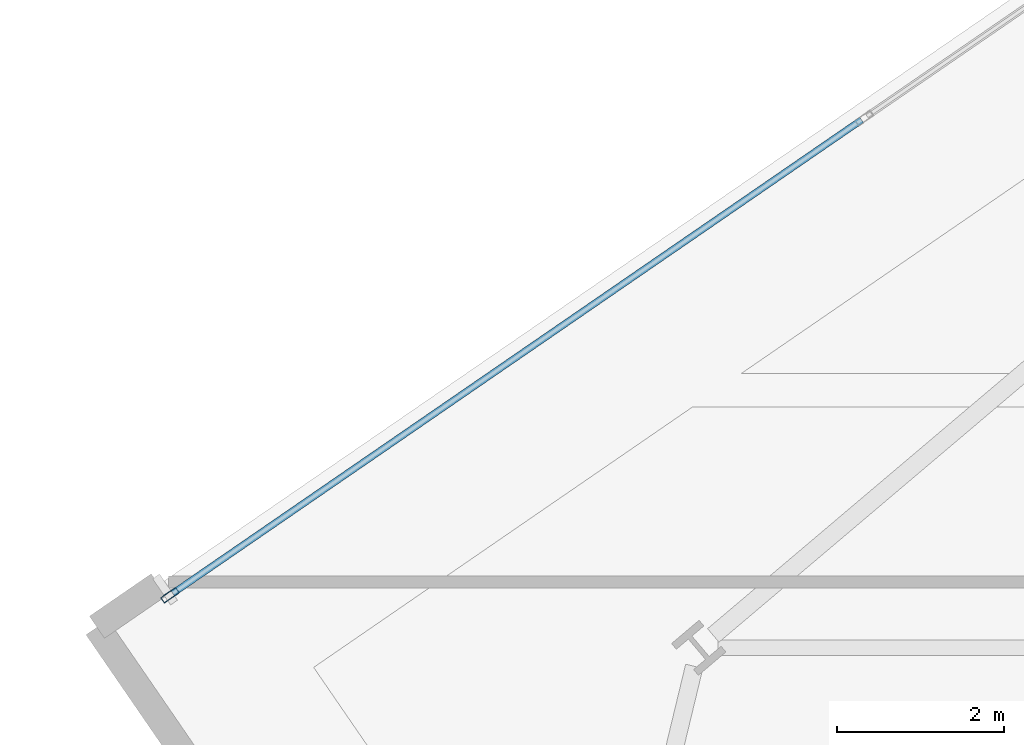
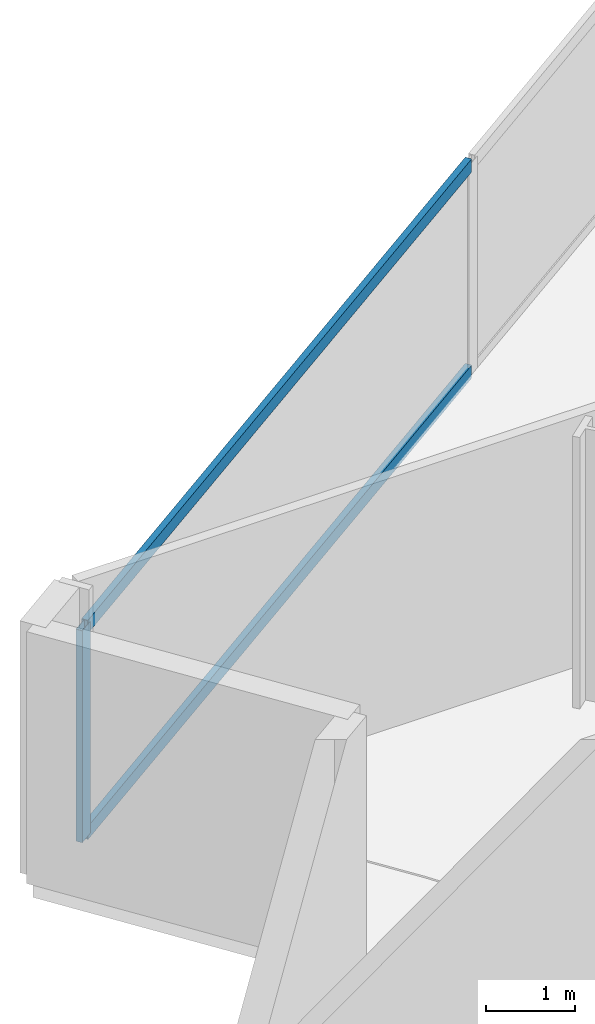
# One storey, part 13 of 29: 3 members, 1 element without a shape of its own.
"""IFC4 building model written with IfcOpenShell, lengths in metres."""

from ifc_helpers import new_model, si_unit, direction, frame, origin, origin_2d, place, context, subcontext, project, spatial, hollow_rectangle, extrude, material, material_profile, profile_set, type_object, element, aggregate, save


model = new_model("IFC4")

# Units and contexts
model_context = context("Model", 3, precision=1e-05, world=origin(), true_north=direction((0.0, 1.0)))
body_context = subcontext(model_context, "Body", "Model", "MODEL_VIEW")
ifc_project = project(units=[si_unit("LENGTHUNIT", "METRE"), si_unit("AREAUNIT", "SQUARE_METRE"), si_unit("VOLUMEUNIT", "CUBIC_METRE"), si_unit("PLANEANGLEUNIT", "RADIAN"), si_unit("MASSUNIT", "GRAM", prefix="KILO")], contexts=[model_context])

# Site, building, storey
site_placement = place(None, origin())
site = spatial("IfcSite", under=ifc_project, at=site_placement, CompositionType="ELEMENT")
building_placement = place(site_placement, origin())
building = spatial("IfcBuilding", under=site, at=building_placement, Name="Haldenkirk Collegiate Tower", CompositionType="ELEMENT")
storey_placement = place(building_placement, frame((0.0, 0.0, 144.449951171875)))
storey = spatial("IfcBuildingStorey", under=building, at=storey_placement, Name="L35", CompositionType="ELEMENT", Elevation=144.449951171875)

# Curtain wall, members
ifc_material = material(Name="Anodised architectural bronze aluminium", Category="aluminium")
curtain_wall_type = type_object("IfcCurtainWallType", Name="CW-SYS1-CONVEX-LOW", PredefinedType="USERDEFINED", material=ifc_material)
curtain_wall_placement = place(storey_placement, origin())
curtain_wall = element("IfcCurtainWall", 1, at=curtain_wall_placement, inside=storey, type_object=curtain_wall_type, Name="L35 Lower tower convex bronze-framed unitised curtain wall", ObjectType="UNITISED CURTAIN WALL", PredefinedType="USERDEFINED")
ifc_material_profile_1 = material_profile(ifc_material, hollow_rectangle(XDim=0.080078125, YDim=0.219970703125, WallThickness=0.0048828125, at=origin_2d()), Name="CW-MUL-1A")
ifc_profile_set_1 = profile_set([ifc_material_profile_1], Name="Anodised architectural bronze aluminium")
member_type_1 = type_object("IfcMemberType", Name="CW-MUL-1A", PredefinedType="MULLION", material=ifc_profile_set_1)
member_1_placement = place(storey_placement, frame((5.9248046875, 33.990478515625, 0.0), z_axis=(0.0, 0.0, 1.0), x_axis=(-0.566404944893, 0.82412707661, 0.0)))
member_1 = element("IfcMember", 2, at=member_1_placement, type_object=member_type_1, Name="CW-1A mullion 1", PredefinedType="MULLION", context=body_context, shape_type="SweptSolid", body=[
    extrude(hollow_rectangle(XDim=0.080078125, YDim=0.219970703125, WallThickness=0.0048828125, at=origin_2d()), origin(), (0.0, 0.0, 1.0), 2.9111328125),
])
ifc_material_profile_2 = material_profile(ifc_material, hollow_rectangle(XDim=0.080078125, YDim=0.179931640625, WallThickness=0.0048828125, at=origin_2d()), Name="CW-TRN-1A")
ifc_profile_set_2 = profile_set([ifc_material_profile_2], Name="Anodised architectural bronze aluminium")
member_type_2 = type_object("IfcMemberType", Name="CW-TRN-1A", PredefinedType="USERDEFINED", material=ifc_profile_set_2)
member_2_placement = place(storey_placement, frame((5.957763671875, 34.01318359375, 0.0400390625), z_axis=(0.824117910206, 0.566418281906, 0.0), x_axis=(-0.566418281906, 0.824117910206, 0.0)))
member_2 = element("IfcMember", 3, at=member_2_placement, type_object=member_type_2, Name="CW-1A transom 1.1", ObjectType="TRANSOM", PredefinedType="USERDEFINED", context=body_context, shape_type="SweptSolid", body=[
    extrude(hollow_rectangle(XDim=0.080078125, YDim=0.179931640625, WallThickness=0.0048828125, at=origin_2d()), origin(), (0.0, 0.0, 1.0), 10.030029296875),
])
member_3_placement = place(storey_placement, frame((5.957763671875, 34.01318359375, 2.87109375), z_axis=(0.824117910206, 0.566418281906, 0.0), x_axis=(-0.566418281906, 0.824117910206, 0.0)))
member_3 = element("IfcMember", 4, at=member_3_placement, type_object=member_type_2, Name="CW-1A transom 1.2", ObjectType="TRANSOM", PredefinedType="USERDEFINED", context=body_context, shape_type="SweptSolid", body=[
    extrude(hollow_rectangle(XDim=0.080078125, YDim=0.179931640625, WallThickness=0.0048828125, at=origin_2d()), origin(), (0.0, 0.0, 1.0), 10.030029296875),
])
aggregate(curtain_wall, [member_1, member_2, member_3])

save(model, "model.ifc")
